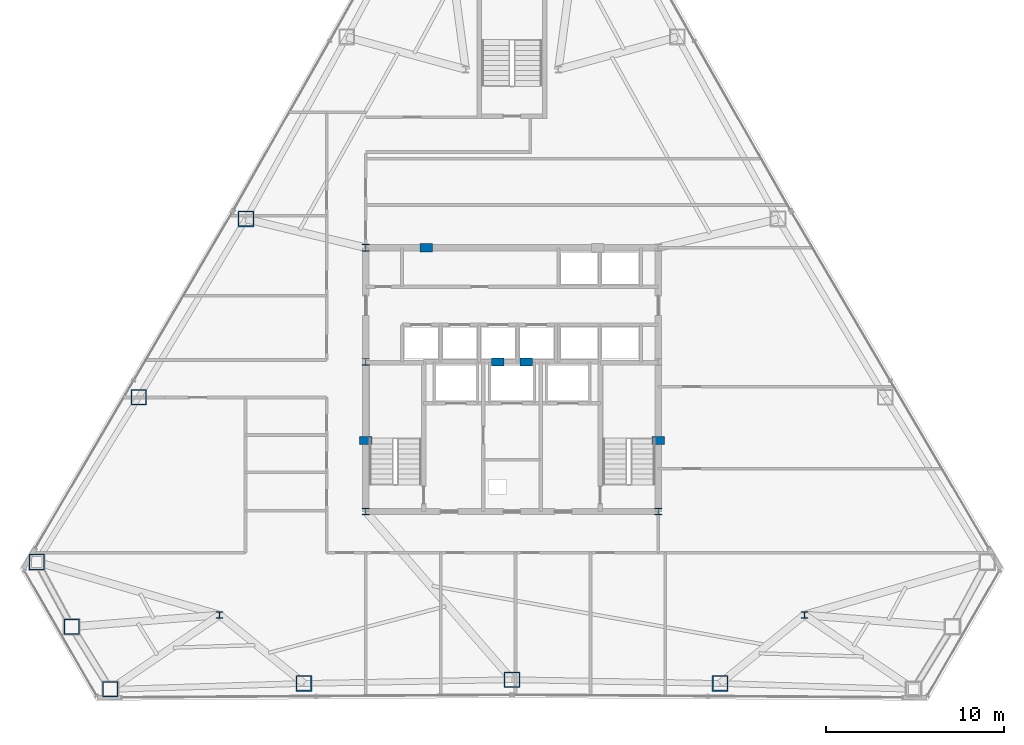
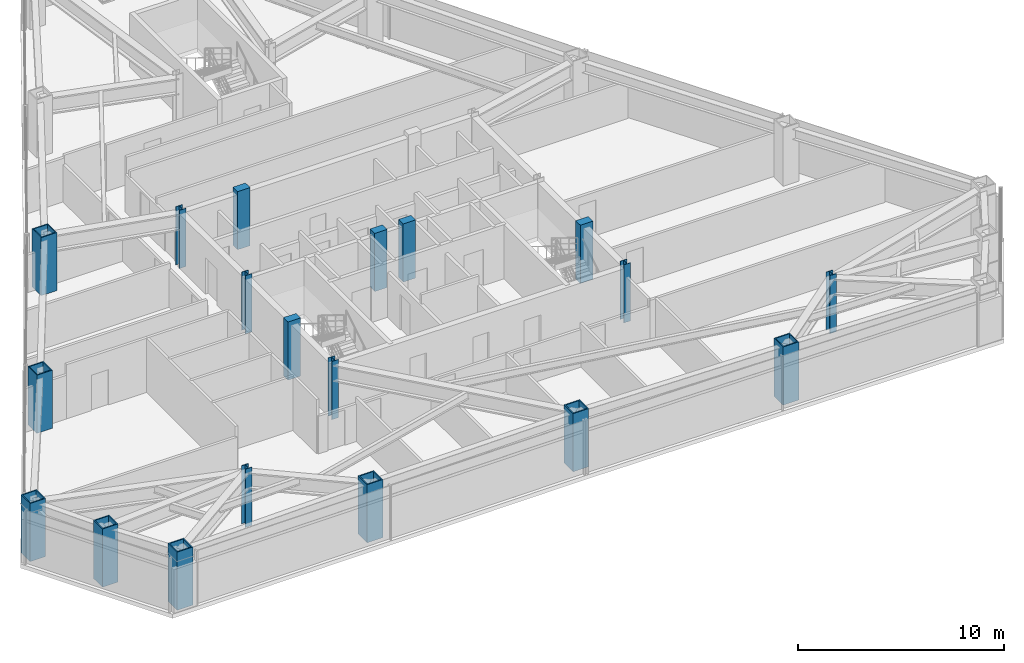
# One storey, part 1 of 13: 19 columns.
"""IFC4 building model written with IfcOpenShell, lengths in metres."""

from ifc_helpers import new_model, si_unit, direction, frame, origin, origin_2d, place, context, subcontext, project, spatial, rectangle, hollow_rectangle, i_section, extrude, material, material_profile, profile_set, type_object, element, save


model = new_model("IFC4")

# Units and contexts
model_context = context("Model", 3, precision=1e-05, world=origin(), true_north=direction((0.0, 1.0)))
body_context = subcontext(model_context, "Body", "Model", "MODEL_VIEW")
ifc_project = project(units=[si_unit("LENGTHUNIT", "METRE"), si_unit("AREAUNIT", "SQUARE_METRE"), si_unit("VOLUMEUNIT", "CUBIC_METRE"), si_unit("PLANEANGLEUNIT", "RADIAN"), si_unit("MASSUNIT", "GRAM", prefix="KILO")], contexts=[model_context])

# Site, building, storey
site_placement = place(None, origin())
site = spatial("IfcSite", under=ifc_project, at=site_placement, CompositionType="ELEMENT")
building_placement = place(site_placement, origin())
building = spatial("IfcBuilding", under=site, at=building_placement, Name="Varakhsha Concourse Tower", CompositionType="ELEMENT")
storey_placement = place(building_placement, frame((0.0, 0.0, 136.699951171875)))
storey = spatial("IfcBuildingStorey", under=building, at=storey_placement, Name="L39", CompositionType="ELEMENT", Elevation=136.699951171875)

# Columns
ifc_material_1 = material(Name="Structural Steel ASTM A992 Grade 50", Category="steel")
ifc_material_profile_1 = material_profile(ifc_material_1, i_section(OverallWidth=0.3740234375, OverallDepth=0.3720703125, WebThickness=0.01611328125, FlangeThickness=0.02587890625, at=origin_2d()), Name="W14X132")
ifc_profile_set_1 = profile_set([ifc_material_profile_1], Name="Structural Steel ASTM A992 Grade 50")
column_type_1 = type_object("IfcColumnType", Name="CL-CORE-W14X132", PredefinedType="COLUMN", material=ifc_profile_set_1)
for number, where, z_axis, x_axis, name in (
    (1, (31.800048828125, 16.39990234375, 0.0), (0.0, 0.0, 1.0), (1.0, 0.0, 0.0), "L39 Core Column CC-SW"),
    (2, (48.199951171875, 16.39990234375, 0.0), (0.0, 0.0, 1.0), (1.0, 0.0, 0.0), "L39 Core Column CC-SE"),
    (3, (31.800048828125, 24.800048828125, 0.0), (0.0, 0.0, 1.0), (1.0, 0.0, 0.0), "L39 Core Column CC-MW"),
    (4, (31.800048828125, 31.199951171875, 0.0), (0.0, 0.0, 1.0), (1.0, 0.0, 0.0), "L39 Core Column CC-NW"),
    (5, (23.60009765625, 10.60009765625, 0.0), (0.0, 0.0, 1.0), (1.0, 0.0, 0.0), "L39 Core Column SS-W"),
    (6, (56.39990234375, 10.60009765625, 0.0), (0.0, 0.0, 1.0), (1.0, 0.0, 0.0), "L39 Core Column SS-E"),
):
    element("IfcColumn", number, at=place(storey_placement, frame(where, z_axis=z_axis, x_axis=x_axis)), inside=storey, type_object=column_type_1, Name=name, PredefinedType="COLUMN", context=body_context, shape_type="SweptSolid", body=[
        extrude(i_section(OverallWidth=0.3740234375, OverallDepth=0.3720703125, WebThickness=0.01611328125, FlangeThickness=0.02587890625, at=origin_2d()), origin(), (0.0, 0.0, 1.0), 3.449951171875),
    ])
ifc_material_2 = material(Name="Concrete fc 65 MPa", Category="concrete")
ifc_material_profile_2 = material_profile(ifc_material_2, rectangle(XDim=0.699951171875, YDim=0.449951171875, at=origin_2d()), Name="RC 700x450")
ifc_profile_set_2 = profile_set([ifc_material_profile_2], Name="Concrete fc 65 MPa")
column_type_2 = type_object("IfcColumnType", Name="CL-PIL-700X450", PredefinedType="PILASTER", material=ifc_profile_set_2)
for number, where, z_axis, x_axis, name in (
    (7, (31.800048828125, 20.39990234375, 0.0), (0.0, 0.0, 1.0), (1.0, 0.0, 0.0), "L39 Core Boundary Pilaster PIL-W1"),
    (8, (48.199951171875, 20.39990234375, 0.0), (0.0, 0.0, 1.0), (1.0, 0.0, 0.0), "L39 Core Boundary Pilaster PIL-E1"),
    (9, (35.199951171875, 31.199951171875, 0.0), (0.0, 0.0, 1.0), (1.0, 0.0, 0.0), "L39 Core Boundary Pilaster PIL-N1"),
    (10, (39.199951171875, 24.800048828125, 0.0), (0.0, 0.0, 1.0), (1.0, 0.0, 0.0), "L39 Core Boundary Pilaster PIL-M1"),
    (11, (40.800048828125, 24.800048828125, 0.0), (0.0, 0.0, 1.0), (1.0, 0.0, 0.0), "L39 Core Boundary Pilaster PIL-M2"),
):
    element("IfcColumn", number, at=place(storey_placement, frame(where, z_axis=z_axis, x_axis=x_axis)), inside=storey, type_object=column_type_2, Name=name, PredefinedType="PILASTER", context=body_context, shape_type="SweptSolid", body=[
        extrude(rectangle(XDim=0.699951171875, YDim=0.449951171875, at=origin_2d()), origin(), (0.0, 0.0, 1.0), 3.449951171875),
    ])
ifc_material_3 = material(Name="Structural Steel ASTM A572 Grade 50", Category="steel")
ifc_material_profile_3 = material_profile(ifc_material_3, hollow_rectangle(XDim=0.8798828125, YDim=0.8798828125, WallThickness=0.06005859375, at=origin_2d()), Name="BOX 880x880x60")
ifc_profile_set_3 = profile_set([ifc_material_profile_3], Name="Structural Steel ASTM A572 Grade 50")
column_type_3 = type_object("IfcColumnType", Name="CL-TUBE-880", PredefinedType="COLUMN", material=ifc_profile_set_3)
for number, where, z_axis, x_axis, name in (
    (12, (25.07861328125, 32.81494140625, 0.0), (0.0, 0.0, 1.0), (1.0, 0.0, 0.0), "L39 Framed-Tube Column TC05"),
    (13, (19.06103515625, 22.814453125, 0.0), (0.0, 0.0, 1.0), (1.0, 0.0, 0.0), "L39 Framed-Tube Column TC06"),
    (14, (13.341796875, 13.572998046875, 0.0), (0.0, 0.0, 1.0), (1.0, 0.0, 0.0), "L39 Framed-Tube Column TC07"),
    (15, (15.299560546875, 9.939208984375, 0.0), (0.0, 0.0, 1.0), (1.0, 0.0, 0.0), "L39 Framed-Tube Column TC08"),
    (16, (17.4677734375, 6.4267578125, 0.0), (0.0, 0.0, 1.0), (1.0, 0.0, 0.0), "L39 Framed-Tube Column TC09"),
    (17, (28.33056640625, 6.759033203125, 0.0), (0.0, 0.0, 1.0), (1.0, 0.0, 0.0), "L39 Framed-Tube Column TC10"),
    (18, (40.0, 6.97021484375, 0.0), (0.0, 0.0, 1.0), (1.0, 0.0, 0.0), "L39 Framed-Tube Column TC11"),
    (19, (51.66943359375, 6.759033203125, 0.0), (0.0, 0.0, 1.0), (1.0, 0.0, 0.0), "L39 Framed-Tube Column TC12"),
):
    element("IfcColumn", number, at=place(storey_placement, frame(where, z_axis=z_axis, x_axis=x_axis)), inside=storey, type_object=column_type_3, Name=name, PredefinedType="COLUMN", context=body_context, shape_type="SweptSolid", body=[
        extrude(hollow_rectangle(XDim=0.8798828125, YDim=0.8798828125, WallThickness=0.06005859375, at=origin_2d()), origin(), (0.0, 0.0, 1.0), 3.449951171875),
    ])

save(model, "model.ifc")
